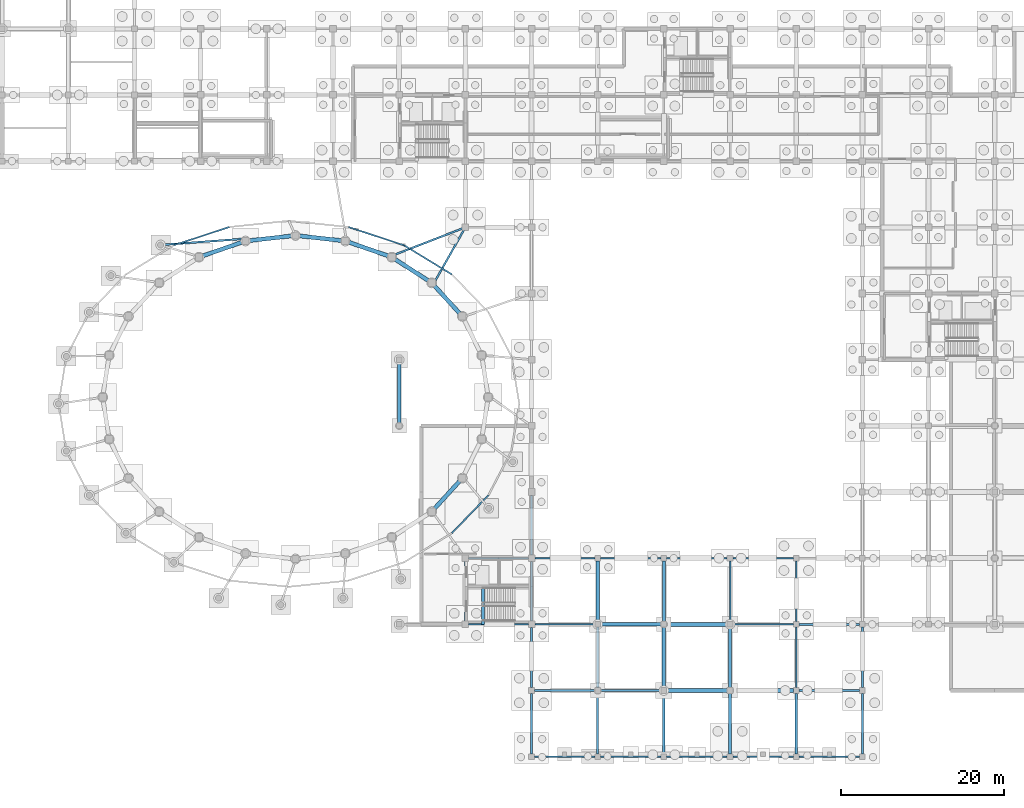
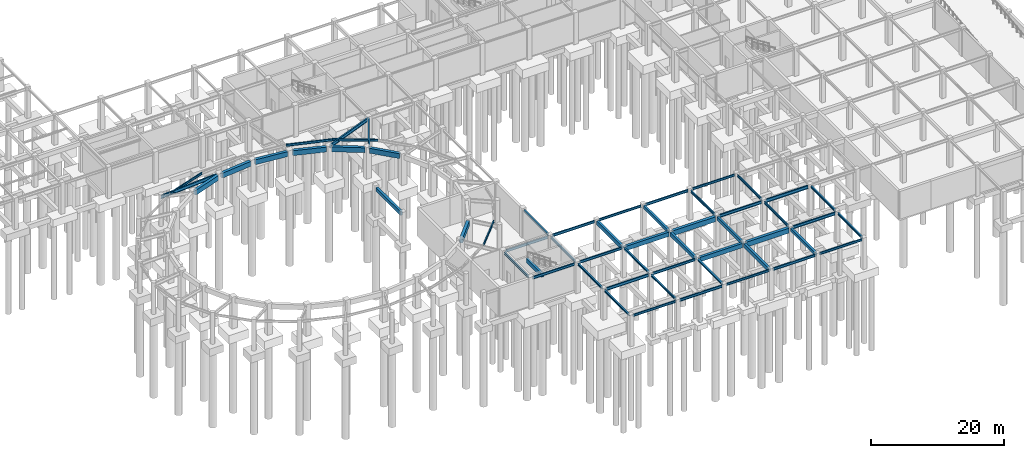
# One storey, part 11 of 26: 56 beams.
"""IFC4 building model written with IfcOpenShell, lengths in metres."""

from ifc_helpers import new_model, si_unit, direction, frame, origin, origin_2d, place, context, subcontext, project, spatial, rectangle, i_section, extrude, material, material_profile, profile_set, type_object, element, save


model = new_model("IFC4")

# Units and contexts
model_context = context("Model", 3, precision=1e-05, world=origin(), true_north=direction((0.0, 1.0)))
body_context = subcontext(model_context, "Body", "Model", "MODEL_VIEW")
ifc_project = project(units=[si_unit("LENGTHUNIT", "METRE"), si_unit("AREAUNIT", "SQUARE_METRE"), si_unit("VOLUMEUNIT", "CUBIC_METRE"), si_unit("PLANEANGLEUNIT", "RADIAN"), si_unit("MASSUNIT", "GRAM", prefix="KILO")], contexts=[model_context])

# Site, building, storey
site_placement = place(None, origin())
site = spatial("IfcSite", under=ifc_project, at=site_placement, CompositionType="ELEMENT")
building_placement = place(site_placement, origin())
building = spatial("IfcBuilding", under=site, at=building_placement, Name="Parian Resonance Hall", CompositionType="ELEMENT")
storey_placement = place(building_placement, frame((0.0, 0.0, -5.39990234375)))
storey = spatial("IfcBuildingStorey", under=building, at=storey_placement, Name="B1", CompositionType="ELEMENT", Elevation=-5.39990234375)

# Beams
ifc_material_1 = material(Name="Concrete C40/50", Category="concrete")
ifc_material_profile_1 = material_profile(ifc_material_1, rectangle(XDim=0.35009765625, YDim=0.60009765625, at=origin_2d()), Name="RC-BM-350x600")
ifc_profile_set_1 = profile_set([ifc_material_profile_1], Name="Concrete C40/50")
beam_type_1 = type_object("IfcBeamType", Name="BM-RC350x600", PredefinedType="BEAM", material=ifc_profile_set_1)
beam_1_placement = place(storey_placement, frame((89.10009765625, 16.550048828125, 4.83984375), z_axis=(0.0, 1.0, 0.0), x_axis=(-1.0, 0.0, 0.0)))
element("IfcBeam", 1, at=beam_1_placement, inside=storey, type_object=beam_type_1, Name="GY-B1-0183", PredefinedType="BEAM", context=body_context, shape_type="SweptSolid", body=[
    extrude(rectangle(XDim=0.35009765625, YDim=0.60009765625, at=origin_2d()), origin(), (0.0, 0.0, 1.0), 7.39990234375),
])
beam_2_placement = place(storey_placement, frame((97.199951171875, 8.449951171875, 4.83984375), z_axis=(0.0, 1.0, 0.0), x_axis=(-1.0, 0.0, 0.0)))
element("IfcBeam", 2, at=beam_2_placement, inside=storey, type_object=beam_type_1, Name="GY-B1-0187", PredefinedType="BEAM", context=body_context, shape_type="SweptSolid", body=[
    extrude(rectangle(XDim=0.35009765625, YDim=0.60009765625, at=origin_2d()), origin(), (0.0, 0.0, 1.0), 7.400146484375),
])
beam_3_placement = place(storey_placement, frame((105.300048828125, 0.35009765625, 4.83984375), z_axis=(0.0, 1.0, 0.0), x_axis=(-1.0, 0.0, 0.0)))
element("IfcBeam", 3, at=beam_3_placement, inside=storey, type_object=beam_type_1, Name="GY-B1-0191", PredefinedType="BEAM", context=body_context, shape_type="SweptSolid", body=[
    extrude(rectangle(XDim=0.35009765625, YDim=0.60009765625, at=origin_2d()), origin(), (0.0, 0.0, 1.0), 7.39990234375),
])
ifc_material_2 = material(Name="Concrete C40/50", Category="concrete")
ifc_material_profile_2 = material_profile(ifc_material_2, rectangle(XDim=0.39990234375, YDim=0.699951171875, at=origin_2d()), Name="RC-BM-400x700")
ifc_profile_set_2 = profile_set([ifc_material_profile_2], Name="Concrete C40/50")
beam_type_2 = type_object("IfcBeamType", Name="BM-RC400x700", PredefinedType="BEAM", material=ifc_profile_set_2)
for number, where, z_axis, x_axis, name in (
    (4, (56.699951171875, 40.85009765625, 4.72998046875), (0.0, 1.0, 0.0), (-1.0, 0.0, 0.0), "GY-B1-0158"),
    (5, (81.0, 16.550048828125, 4.789794921875), (0.0, 1.0, 0.0), (-1.0, 0.0, 0.0), "GY-B1-0178"),
):
    element("IfcBeam", number, at=place(storey_placement, frame(where, z_axis=z_axis, x_axis=x_axis)), inside=storey, type_object=beam_type_2, Name=name, PredefinedType="BEAM", context=body_context, shape_type="SweptSolid", body=[
        extrude(rectangle(XDim=0.39990234375, YDim=0.699951171875, at=origin_2d()), origin(), (0.0, 0.0, 1.0), 7.39990234375),
    ])
beam_4_placement = place(storey_placement, frame((89.10009765625, 8.449951171875, 4.789794921875), z_axis=(0.0, 1.0, 0.0), x_axis=(-1.0, 0.0, 0.0)))
element("IfcBeam", 6, at=beam_4_placement, inside=storey, type_object=beam_type_2, Name="GY-B1-0182", PredefinedType="BEAM", context=body_context, shape_type="SweptSolid", body=[
    extrude(rectangle(XDim=0.39990234375, YDim=0.699951171875, at=origin_2d()), origin(), (0.0, 0.0, 1.0), 7.400146484375),
])
beam_5_placement = place(storey_placement, frame((97.199951171875, 0.35009765625, 4.789794921875), z_axis=(0.0, 1.0, 0.0), x_axis=(-1.0, 0.0, 0.0)))
element("IfcBeam", 7, at=beam_5_placement, inside=storey, type_object=beam_type_2, Name="GY-B1-0186", PredefinedType="BEAM", context=body_context, shape_type="SweptSolid", body=[
    extrude(rectangle(XDim=0.39990234375, YDim=0.699951171875, at=origin_2d()), origin(), (0.0, 0.0, 1.0), 7.39990234375),
])
beam_6_placement = place(storey_placement, frame((66.9599609375, 16.199951171875, 4.75), z_axis=(0.0, 1.0, 0.0), x_axis=(-1.0, 0.0, 0.0)))
element("IfcBeam", 8, at=beam_6_placement, inside=storey, type_object=beam_type_2, Name="Core K3 stair arrival trimmer beam B1", PredefinedType="BEAM", context=body_context, shape_type="SweptSolid", body=[
    extrude(rectangle(XDim=0.39990234375, YDim=0.699951171875, at=origin_2d()), origin(), (0.0, 0.0, 1.0), 4.650146484375),
])
ifc_material_3 = material(Name="Concrete C40/50", Category="concrete")
ifc_material_profile_3 = material_profile(ifc_material_3, rectangle(XDim=0.449951171875, YDim=0.800048828125, at=origin_2d()), Name="RC-BM-450x800")
ifc_profile_set_3 = profile_set([ifc_material_profile_3], Name="Concrete C40/50")
beam_type_3 = type_object("IfcBeamType", Name="BM-RC450x800", PredefinedType="USERDEFINED", material=ifc_profile_set_3)
beam_7_placement = place(storey_placement, frame((81.35009765625, 16.199951171875, 4.739990234375), z_axis=(1.0, 0.0, 0.0), x_axis=(0.0, 1.0, 0.0)))
element("IfcBeam", 9, at=beam_7_placement, inside=storey, type_object=beam_type_3, Name="GX-B1-0049", ObjectType="GIRDER", PredefinedType="USERDEFINED", context=body_context, shape_type="SweptSolid", body=[
    extrude(rectangle(XDim=0.449951171875, YDim=0.800048828125, at=origin_2d()), origin(), (0.0, 0.0, 1.0), 7.39990234375),
])
beam_8_placement = place(storey_placement, frame((89.449951171875, 8.10009765625, 4.739990234375), z_axis=(1.0, 0.0, 0.0), x_axis=(0.0, 1.0, 0.0)))
element("IfcBeam", 10, at=beam_8_placement, inside=storey, type_object=beam_type_3, Name="GX-B1-0055", ObjectType="GIRDER", PredefinedType="USERDEFINED", context=body_context, shape_type="SweptSolid", body=[
    extrude(rectangle(XDim=0.449951171875, YDim=0.800048828125, at=origin_2d()), origin(), (0.0, 0.0, 1.0), 7.400146484375),
])
ifc_material_4 = material(Name="Concrete C40/50", Category="concrete")
ifc_material_profile_4 = material_profile(ifc_material_4, rectangle(XDim=0.5, YDim=0.89990234375, at=origin_2d()), Name="RC-BM-500x900")
ifc_profile_set_4 = profile_set([ifc_material_profile_4], Name="Concrete C40/50")
beam_type_4 = type_object("IfcBeamType", Name="BM-RC500x900", PredefinedType="USERDEFINED", material=ifc_profile_set_4)
beam_9_placement = place(storey_placement, frame((89.449951171875, 16.199951171875, 4.68994140625), z_axis=(1.0, 0.0, 0.0), x_axis=(0.0, 1.0, 0.0)))
element("IfcBeam", 11, at=beam_9_placement, inside=storey, type_object=beam_type_4, Name="GX-B1-0056", ObjectType="GIRDER", PredefinedType="USERDEFINED", context=body_context, shape_type="SweptSolid", body=[
    extrude(rectangle(XDim=0.5, YDim=0.89990234375, at=origin_2d()), origin(), (0.0, 0.0, 1.0), 7.400146484375),
])
beam_10_placement = place(storey_placement, frame((97.550048828125, 8.10009765625, 4.68994140625), z_axis=(1.0, 0.0, 0.0), x_axis=(0.0, 1.0, 0.0)))
element("IfcBeam", 12, at=beam_10_placement, inside=storey, type_object=beam_type_4, Name="GX-B1-0062", ObjectType="GIRDER", PredefinedType="USERDEFINED", context=body_context, shape_type="SweptSolid", body=[
    extrude(rectangle(XDim=0.5, YDim=0.89990234375, at=origin_2d()), origin(), (0.0, 0.0, 1.0), 7.39990234375),
])
beam_11_placement = place(storey_placement, frame((64.168212890625, 54.1953125, 4.679931640625), z_axis=(-0.674892190981, 0.737916343872, 0.0), x_axis=(-0.737916343872, -0.674892190981, 0.0)))
element("IfcBeam", 13, at=beam_11_placement, inside=storey, type_object=beam_type_4, Name="Concert hall drum ring beam B1-03", ObjectType="GIRDER", PredefinedType="USERDEFINED", context=body_context, shape_type="SweptSolid", body=[
    extrude(rectangle(XDim=0.5, YDim=0.89990234375, at=origin_2d()), origin(), (0.0, 0.0, 1.0), 4.757080078125),
])
beam_12_placement = place(storey_placement, frame((60.351318359375, 58.21728515625, 4.679931640625), z_axis=(-0.840822266108, 0.541311293819, 0.0), x_axis=(-0.541311293819, -0.840822266108, 0.0)))
element("IfcBeam", 14, at=beam_12_placement, inside=storey, type_object=beam_type_4, Name="Concert hall drum ring beam B1-04", ObjectType="GIRDER", PredefinedType="USERDEFINED", context=body_context, shape_type="SweptSolid", body=[
    extrude(rectangle(XDim=0.5, YDim=0.89990234375, at=origin_2d()), origin(), (0.0, 0.0, 1.0), 5.012939453125),
])
beam_13_placement = place(storey_placement, frame((55.422119140625, 61.278564453125, 4.679931640625), z_axis=(-0.944593815742, 0.328241562362, 0.0), x_axis=(-0.328241562362, -0.944593815742, 0.0)))
element("IfcBeam", 15, at=beam_13_placement, inside=storey, type_object=beam_type_4, Name="Concert hall drum ring beam B1-05", ObjectType="GIRDER", PredefinedType="USERDEFINED", context=body_context, shape_type="SweptSolid", body=[
    extrude(rectangle(XDim=0.5, YDim=0.89990234375, at=origin_2d()), origin(), (0.0, 0.0, 1.0), 5.225830078125),
])
for number, where, z_axis, x_axis, name in (
    (16, (49.71044921875, 63.169189453125, 4.679931640625), (-0.993953165009, 0.109804853117, 0.0), (-0.109804853117, -0.993953165009, 0.0), "Concert hall drum ring beam B1-06"),
    (17, (43.602294921875, 63.756103515625, 4.679931640625), (-0.993953165009, -0.109804853117, 0.0), (0.109804853117, -0.993953165009, 0.0), "Concert hall drum ring beam B1-07"),
):
    element("IfcBeam", number, at=place(storey_placement, frame(where, z_axis=z_axis, x_axis=x_axis)), inside=storey, type_object=beam_type_4, Name=name, ObjectType="GIRDER", PredefinedType="USERDEFINED", context=body_context, shape_type="SweptSolid", body=[
        extrude(rectangle(XDim=0.5, YDim=0.89990234375, at=origin_2d()), origin(), (0.0, 0.0, 1.0), 5.344970703125),
    ])
beam_14_placement = place(storey_placement, frame((37.51416015625, 62.993896484375, 4.679931640625), z_axis=(-0.944593815742, -0.328241562362, 0.0), x_axis=(0.328241562362, -0.944593815742, 0.0)))
element("IfcBeam", 18, at=beam_14_placement, inside=storey, type_object=beam_type_4, Name="Concert hall drum ring beam B1-08", ObjectType="GIRDER", PredefinedType="USERDEFINED", context=body_context, shape_type="SweptSolid", body=[
    extrude(rectangle(XDim=0.5, YDim=0.89990234375, at=origin_2d()), origin(), (0.0, 0.0, 1.0), 5.225830078125),
])
beam_15_placement = place(storey_placement, frame((60.957763671875, 30.29443359375, 4.679931640625), z_axis=(0.674892190981, 0.737916343872, 0.0), x_axis=(-0.737916343872, 0.674892190981, 0.0)))
element("IfcBeam", 19, at=beam_15_placement, inside=storey, type_object=beam_type_4, Name="Concert hall drum ring beam B1-22", ObjectType="GIRDER", PredefinedType="USERDEFINED", context=body_context, shape_type="SweptSolid", body=[
    extrude(rectangle(XDim=0.5, YDim=0.89990234375, at=origin_2d()), origin(), (0.0, 0.0, 1.0), 4.757080078125),
])
ifc_material_5 = material(Name="Steel S355", Category="steel")
ifc_material_profile_5 = material_profile(ifc_material_5, i_section(OverallWidth=0.304931640625, OverallDepth=0.30810546875, WebThickness=0.010009765625, FlangeThickness=0.015380859375, FilletRadius=0.01513671875, at=origin_2d()), Name="W310x97")
ifc_profile_set_5 = profile_set([ifc_material_profile_5], Name="Steel S355")
beam_type_5 = type_object("IfcBeamType", Name="BM-W310x97", PredefinedType="BEAM", material=ifc_profile_set_5)
beam_16_placement = place(storey_placement, frame((81.0, 8.449951171875, 4.98583984375), z_axis=(0.0, 1.0, 0.0), x_axis=(-1.0, 0.0, 0.0)))
element("IfcBeam", 20, at=beam_16_placement, inside=storey, type_object=beam_type_5, Name="GY-B1-0177", PredefinedType="BEAM", context=body_context, shape_type="SweptSolid", body=[
    extrude(i_section(OverallWidth=0.304931640625, OverallDepth=0.30810546875, WebThickness=0.010009765625, FlangeThickness=0.015380859375, FilletRadius=0.01513671875, at=origin_2d()), origin(), (0.0, 0.0, 1.0), 7.400146484375),
])
beam_17_placement = place(storey_placement, frame((89.10009765625, 0.35009765625, 4.98583984375), z_axis=(0.0, 1.0, 0.0), x_axis=(-1.0, 0.0, 0.0)))
element("IfcBeam", 21, at=beam_17_placement, inside=storey, type_object=beam_type_5, Name="GY-B1-0181", PredefinedType="BEAM", context=body_context, shape_type="SweptSolid", body=[
    extrude(i_section(OverallWidth=0.304931640625, OverallDepth=0.30810546875, WebThickness=0.010009765625, FlangeThickness=0.015380859375, FilletRadius=0.01513671875, at=origin_2d()), origin(), (0.0, 0.0, 1.0), 7.39990234375),
])
ifc_material_6 = material(Name="Steel S355", Category="steel")
ifc_material_profile_6 = material_profile(ifc_material_6, i_section(OverallWidth=0.2548828125, OverallDepth=0.35693359375, WebThickness=0.010498046875, FlangeThickness=0.018310546875, FilletRadius=0.01513671875, at=origin_2d()), Name="W360x101")
ifc_profile_set_6 = profile_set([ifc_material_profile_6], Name="Steel S355")
beam_type_6 = type_object("IfcBeamType", Name="BM-W360x101", PredefinedType="SPANDREL", material=ifc_profile_set_6)
beam_18_placement = place(storey_placement, frame((64.800048828125, 16.60009765625, 4.92138671875), z_axis=(0.0, 1.0, 0.0), x_axis=(-1.0, 0.0, 0.0)))
element("IfcBeam", 22, at=beam_18_placement, inside=storey, type_object=beam_type_6, Name="GY-B1-0161", PredefinedType="SPANDREL", context=body_context, shape_type="SweptSolid", body=[
    extrude(i_section(OverallWidth=0.2548828125, OverallDepth=0.35693359375, WebThickness=0.010498046875, FlangeThickness=0.018310546875, FilletRadius=0.01513671875, at=origin_2d()), origin(), (0.0, 0.0, 1.0), 7.2998046875),
])
beam_19_placement = place(storey_placement, frame((72.89990234375, 0.35009765625, 4.96142578125), z_axis=(0.0, 1.0, 0.0), x_axis=(-1.0, 0.0, 0.0)))
element("IfcBeam", 23, at=beam_19_placement, inside=storey, type_object=beam_type_6, Name="GY-B1-0165", PredefinedType="SPANDREL", context=body_context, shape_type="SweptSolid", body=[
    extrude(i_section(OverallWidth=0.2548828125, OverallDepth=0.35693359375, WebThickness=0.010498046875, FlangeThickness=0.018310546875, FilletRadius=0.01513671875, at=origin_2d()), origin(), (0.0, 0.0, 1.0), 7.39990234375),
])
beam_20_placement = place(storey_placement, frame((72.89990234375, 8.449951171875, 4.96142578125), z_axis=(0.0, 1.0, 0.0), x_axis=(-1.0, 0.0, 0.0)))
element("IfcBeam", 24, at=beam_20_placement, inside=storey, type_object=beam_type_6, Name="GY-B1-0166", PredefinedType="SPANDREL", context=body_context, shape_type="SweptSolid", body=[
    extrude(i_section(OverallWidth=0.2548828125, OverallDepth=0.35693359375, WebThickness=0.010498046875, FlangeThickness=0.018310546875, FilletRadius=0.01513671875, at=origin_2d()), origin(), (0.0, 0.0, 1.0), 7.35009765625),
])
beam_21_placement = place(storey_placement, frame((72.89990234375, 16.60009765625, 4.92138671875), z_axis=(0.0, 1.0, 0.0), x_axis=(-1.0, 0.0, 0.0)))
element("IfcBeam", 25, at=beam_21_placement, inside=storey, type_object=beam_type_6, Name="GY-B1-0167", PredefinedType="SPANDREL", context=body_context, shape_type="SweptSolid", body=[
    extrude(i_section(OverallWidth=0.2548828125, OverallDepth=0.35693359375, WebThickness=0.010498046875, FlangeThickness=0.018310546875, FilletRadius=0.01513671875, at=origin_2d()), origin(), (0.0, 0.0, 1.0), 7.2998046875),
])
beam_22_placement = place(storey_placement, frame((72.89990234375, 24.699951171875, 4.92138671875), z_axis=(0.0, 1.0, 0.0), x_axis=(-1.0, 0.0, 0.0)))
element("IfcBeam", 26, at=beam_22_placement, inside=storey, type_object=beam_type_6, Name="GY-B1-0168", PredefinedType="SPANDREL", context=body_context, shape_type="SweptSolid", body=[
    extrude(i_section(OverallWidth=0.2548828125, OverallDepth=0.35693359375, WebThickness=0.010498046875, FlangeThickness=0.018310546875, FilletRadius=0.01513671875, at=origin_2d()), origin(), (0.0, 0.0, 1.0), 7.300048828125),
])
for number, where, z_axis, x_axis, name in (
    (27, (81.0, 0.35009765625, 4.96142578125), (0.0, 1.0, 0.0), (-1.0, 0.0, 0.0), "GY-B1-0176"),
    (28, (113.39990234375, 0.35009765625, 4.96142578125), (0.0, 1.0, 0.0), (-1.0, 0.0, 0.0), "GY-B1-0196"),
):
    element("IfcBeam", number, at=place(storey_placement, frame(where, z_axis=z_axis, x_axis=x_axis)), inside=storey, type_object=beam_type_6, Name=name, PredefinedType="SPANDREL", context=body_context, shape_type="SweptSolid", body=[
        extrude(i_section(OverallWidth=0.2548828125, OverallDepth=0.35693359375, WebThickness=0.010498046875, FlangeThickness=0.018310546875, FilletRadius=0.01513671875, at=origin_2d()), origin(), (0.0, 0.0, 1.0), 7.39990234375),
    ])
beam_23_placement = place(storey_placement, frame((113.39990234375, 8.449951171875, 4.96142578125), z_axis=(0.0, 1.0, 0.0), x_axis=(-1.0, 0.0, 0.0)))
element("IfcBeam", 29, at=beam_23_placement, inside=storey, type_object=beam_type_6, Name="GY-B1-0197", PredefinedType="SPANDREL", context=body_context, shape_type="SweptSolid", body=[
    extrude(i_section(OverallWidth=0.2548828125, OverallDepth=0.35693359375, WebThickness=0.010498046875, FlangeThickness=0.018310546875, FilletRadius=0.01513671875, at=origin_2d()), origin(), (0.0, 0.0, 1.0), 7.400146484375),
])
ifc_material_7 = material(Name="Steel S355", Category="steel")
ifc_material_profile_7 = material_profile(ifc_material_7, i_section(OverallWidth=0.180908203125, OverallDepth=0.4169921875, WebThickness=0.010986328125, FlangeThickness=0.018310546875, FilletRadius=0.01513671875, at=origin_2d()), Name="W410x85")
ifc_profile_set_7 = profile_set([ifc_material_profile_7], Name="Steel S355")
beam_type_7 = type_object("IfcBeamType", Name="BM-W410x85", PredefinedType="SPANDREL", material=ifc_profile_set_7)
for number, where, z_axis, x_axis, name in (
    (30, (73.25, 0.0, 4.96142578125), (1.0, 0.0, 0.0), (0.0, 1.0, 0.0), "GX-B1-0040"),
    (31, (81.35009765625, 24.300048828125, 4.931396484375), (1.0, 0.0, 0.0), (0.0, 1.0, 0.0), "GX-B1-0050"),
):
    element("IfcBeam", number, at=place(storey_placement, frame(where, z_axis=z_axis, x_axis=x_axis)), inside=storey, type_object=beam_type_7, Name=name, PredefinedType="SPANDREL", context=body_context, shape_type="SweptSolid", body=[
        extrude(i_section(OverallWidth=0.180908203125, OverallDepth=0.4169921875, WebThickness=0.010986328125, FlangeThickness=0.018310546875, FilletRadius=0.01513671875, at=origin_2d()), origin(), (0.0, 0.0, 1.0), 7.39990234375),
    ])
beam_24_placement = place(storey_placement, frame((89.449951171875, 0.0, 4.96142578125), z_axis=(1.0, 0.0, 0.0), x_axis=(0.0, 1.0, 0.0)))
element("IfcBeam", 32, at=beam_24_placement, inside=storey, type_object=beam_type_7, Name="GX-B1-0054", PredefinedType="SPANDREL", context=body_context, shape_type="SweptSolid", body=[
    extrude(i_section(OverallWidth=0.180908203125, OverallDepth=0.4169921875, WebThickness=0.010986328125, FlangeThickness=0.018310546875, FilletRadius=0.01513671875, at=origin_2d()), origin(), (0.0, 0.0, 1.0), 7.400146484375),
])
beam_25_placement = place(storey_placement, frame((97.550048828125, 24.300048828125, 4.931396484375), z_axis=(1.0, 0.0, 0.0), x_axis=(0.0, 1.0, 0.0)))
element("IfcBeam", 33, at=beam_25_placement, inside=storey, type_object=beam_type_7, Name="GX-B1-0064", PredefinedType="SPANDREL", context=body_context, shape_type="SweptSolid", body=[
    extrude(i_section(OverallWidth=0.180908203125, OverallDepth=0.4169921875, WebThickness=0.010986328125, FlangeThickness=0.018310546875, FilletRadius=0.01513671875, at=origin_2d()), origin(), (0.0, 0.0, 1.0), 7.39990234375),
])
beam_26_placement = place(storey_placement, frame((105.64990234375, 0.0, 4.96142578125), z_axis=(1.0, 0.0, 0.0), x_axis=(0.0, 1.0, 0.0)))
element("IfcBeam", 34, at=beam_26_placement, inside=storey, type_object=beam_type_7, Name="GX-B1-0068", PredefinedType="SPANDREL", context=body_context, shape_type="SweptSolid", body=[
    extrude(i_section(OverallWidth=0.180908203125, OverallDepth=0.4169921875, WebThickness=0.010986328125, FlangeThickness=0.018310546875, FilletRadius=0.01513671875, at=origin_2d()), origin(), (0.0, 0.0, 1.0), 7.400146484375),
])
beam_27_placement = place(storey_placement, frame((105.300048828125, 16.550048828125, 4.931396484375), z_axis=(0.0, 1.0, 0.0), x_axis=(-1.0, 0.0, 0.0)))
element("IfcBeam", 35, at=beam_27_placement, inside=storey, type_object=beam_type_7, Name="GY-B1-0193", PredefinedType="SPANDREL", context=body_context, shape_type="SweptSolid", body=[
    extrude(i_section(OverallWidth=0.180908203125, OverallDepth=0.4169921875, WebThickness=0.010986328125, FlangeThickness=0.018310546875, FilletRadius=0.01513671875, at=origin_2d()), origin(), (0.0, 0.0, 1.0), 7.39990234375),
])
beam_28_placement = place(storey_placement, frame((63.140380859375, 59.039306640625, 4.871337890625), z_axis=(-0.853884780615, 0.520462084531, 0.0), x_axis=(-0.520462084531, -0.853884780615, 0.0)))
element("IfcBeam", 36, at=beam_28_placement, inside=storey, type_object=beam_type_7, Name="Elliptical BASE perimeter spandrel beam 04", PredefinedType="SPANDREL", context=body_context, shape_type="SweptSolid", body=[
    extrude(i_section(OverallWidth=0.180908203125, OverallDepth=0.4169921875, WebThickness=0.010986328125, FlangeThickness=0.018310546875, FilletRadius=0.01513671875, at=origin_2d()), origin(), (0.0, 0.0, 1.0), 6.839599609375),
])
for number, where, z_axis, x_axis, name in (
    (37, (57.300048828125, 62.59912109375, 4.871337890625), (-0.949913803394, 0.312512025562, 0.0), (-0.312512025562, -0.949913803394, 0.0), "Elliptical BASE perimeter spandrel beam 05"),
    (38, (35.9013671875, 64.836669921875, 4.871337890625), (-0.949913803394, -0.312512025562, 0.0), (0.312512025562, -0.949913803394, 0.0), "Elliptical BASE perimeter spandrel beam 08"),
):
    element("IfcBeam", number, at=place(storey_placement, frame(where, z_axis=z_axis, x_axis=x_axis)), inside=storey, type_object=beam_type_7, Name=name, PredefinedType="SPANDREL", context=body_context, shape_type="SweptSolid", body=[
        extrude(i_section(OverallWidth=0.180908203125, OverallDepth=0.4169921875, WebThickness=0.010986328125, FlangeThickness=0.018310546875, FilletRadius=0.01513671875, at=origin_2d()), origin(), (0.0, 0.0, 1.0), 7.159912109375),
    ])
beam_29_placement = place(storey_placement, frame((63.140380859375, 27.36083984375, 4.871337890625), z_axis=(0.694775519763, 0.719226652132, 0.0), x_axis=(-0.719226652132, 0.694775519763, 0.0)))
element("IfcBeam", 39, at=beam_29_placement, inside=storey, type_object=beam_type_7, Name="Elliptical BASE perimeter spandrel beam 22", PredefinedType="SPANDREL", context=body_context, shape_type="SweptSolid", body=[
    extrude(i_section(OverallWidth=0.180908203125, OverallDepth=0.4169921875, WebThickness=0.010986328125, FlangeThickness=0.018310546875, FilletRadius=0.01513671875, at=origin_2d()), origin(), (0.0, 0.0, 1.0), 6.4501953125),
])
ifc_material_8 = material(Name="Steel S355", Category="steel")
ifc_material_profile_8 = material_profile(ifc_material_8, i_section(OverallWidth=0.194091796875, OverallDepth=0.468994140625, WebThickness=0.0126953125, FlangeThickness=0.0205078125, FilletRadius=0.01513671875, at=origin_2d()), Name="W460x106")
ifc_profile_set_8 = profile_set([ifc_material_profile_8], Name="Steel S355")
beam_type_8 = type_object("IfcBeamType", Name="BM-W460x106", PredefinedType="SPANDREL", material=ifc_profile_set_8)
beam_30_placement = place(storey_placement, frame((65.199951171875, 16.199951171875, 4.865478515625), z_axis=(1.0, 0.0, 0.0), x_axis=(0.0, 1.0, 0.0)))
element("IfcBeam", 40, at=beam_30_placement, inside=storey, type_object=beam_type_8, Name="GX-B1-0034", PredefinedType="SPANDREL", context=body_context, shape_type="SweptSolid", body=[
    extrude(i_section(OverallWidth=0.194091796875, OverallDepth=0.468994140625, WebThickness=0.0126953125, FlangeThickness=0.0205078125, FilletRadius=0.01513671875, at=origin_2d()), origin(), (0.0, 0.0, 1.0), 7.300048828125),
])
beam_31_placement = place(storey_placement, frame((73.300048828125, 24.300048828125, 4.905517578125), z_axis=(1.0, 0.0, 0.0), x_axis=(0.0, 1.0, 0.0)))
element("IfcBeam", 41, at=beam_31_placement, inside=storey, type_object=beam_type_8, Name="GX-B1-0043", PredefinedType="SPANDREL", context=body_context, shape_type="SweptSolid", body=[
    extrude(i_section(OverallWidth=0.194091796875, OverallDepth=0.468994140625, WebThickness=0.0126953125, FlangeThickness=0.0205078125, FilletRadius=0.01513671875, at=origin_2d()), origin(), (0.0, 0.0, 1.0), 7.349853515625),
])
beam_32_placement = place(storey_placement, frame((81.35009765625, 0.0, 4.935302734375), z_axis=(1.0, 0.0, 0.0), x_axis=(0.0, 1.0, 0.0)))
element("IfcBeam", 42, at=beam_32_placement, inside=storey, type_object=beam_type_8, Name="GX-B1-0047", PredefinedType="SPANDREL", context=body_context, shape_type="SweptSolid", body=[
    extrude(i_section(OverallWidth=0.194091796875, OverallDepth=0.468994140625, WebThickness=0.0126953125, FlangeThickness=0.0205078125, FilletRadius=0.01513671875, at=origin_2d()), origin(), (0.0, 0.0, 1.0), 7.39990234375),
])
beam_33_placement = place(storey_placement, frame((89.449951171875, 24.300048828125, 4.905517578125), z_axis=(1.0, 0.0, 0.0), x_axis=(0.0, 1.0, 0.0)))
element("IfcBeam", 43, at=beam_33_placement, inside=storey, type_object=beam_type_8, Name="GX-B1-0057", PredefinedType="SPANDREL", context=body_context, shape_type="SweptSolid", body=[
    extrude(i_section(OverallWidth=0.194091796875, OverallDepth=0.468994140625, WebThickness=0.0126953125, FlangeThickness=0.0205078125, FilletRadius=0.01513671875, at=origin_2d()), origin(), (0.0, 0.0, 1.0), 7.400146484375),
])
for number, where, z_axis, x_axis, name in (
    (44, (97.550048828125, 0.0, 4.935302734375), (1.0, 0.0, 0.0), (0.0, 1.0, 0.0), "GX-B1-0061"),
    (45, (97.199951171875, 16.550048828125, 4.905517578125), (0.0, 1.0, 0.0), (-1.0, 0.0, 0.0), "GY-B1-0188"),
):
    element("IfcBeam", number, at=place(storey_placement, frame(where, z_axis=z_axis, x_axis=x_axis)), inside=storey, type_object=beam_type_8, Name=name, PredefinedType="SPANDREL", context=body_context, shape_type="SweptSolid", body=[
        extrude(i_section(OverallWidth=0.194091796875, OverallDepth=0.468994140625, WebThickness=0.0126953125, FlangeThickness=0.0205078125, FilletRadius=0.01513671875, at=origin_2d()), origin(), (0.0, 0.0, 1.0), 7.39990234375),
    ])
beam_34_placement = place(storey_placement, frame((105.300048828125, 8.449951171875, 4.905517578125), z_axis=(0.0, 1.0, 0.0), x_axis=(-1.0, 0.0, 0.0)))
element("IfcBeam", 46, at=beam_34_placement, inside=storey, type_object=beam_type_8, Name="GY-B1-0192", PredefinedType="SPANDREL", context=body_context, shape_type="SweptSolid", body=[
    extrude(i_section(OverallWidth=0.194091796875, OverallDepth=0.468994140625, WebThickness=0.0126953125, FlangeThickness=0.0205078125, FilletRadius=0.01513671875, at=origin_2d()), origin(), (0.0, 0.0, 1.0), 7.400146484375),
])
ifc_material_9 = material(Name="Steel S355", Category="steel")
ifc_material_profile_9 = material_profile(ifc_material_9, i_section(OverallWidth=0.19091796875, OverallDepth=0.4599609375, WebThickness=0.010009765625, FlangeThickness=0.01611328125, FilletRadius=0.01513671875, at=origin_2d()), Name="W460x82")
ifc_profile_set_9 = profile_set([ifc_material_profile_9], Name="Steel S355")
beam_type_9 = type_object("IfcBeamType", Name="BM-W460x82", PredefinedType="BEAM", material=ifc_profile_set_9)
beam_35_placement = place(storey_placement, frame((65.199951171875, 24.300048828125, 4.869873046875), z_axis=(1.0, 0.0, 0.0), x_axis=(0.0, 1.0, 0.0)))
element("IfcBeam", 47, at=beam_35_placement, inside=storey, type_object=beam_type_9, Name="GX-B1-0035", PredefinedType="BEAM", context=body_context, shape_type="SweptSolid", body=[
    extrude(i_section(OverallWidth=0.19091796875, OverallDepth=0.4599609375, WebThickness=0.010009765625, FlangeThickness=0.01611328125, FilletRadius=0.01513671875, at=origin_2d()), origin(), (0.0, 0.0, 1.0), 7.300048828125),
])
beam_36_placement = place(storey_placement, frame((73.300048828125, 16.199951171875, 4.909912109375), z_axis=(1.0, 0.0, 0.0), x_axis=(0.0, 1.0, 0.0)))
element("IfcBeam", 48, at=beam_36_placement, inside=storey, type_object=beam_type_9, Name="GX-B1-0042", PredefinedType="BEAM", context=body_context, shape_type="SweptSolid", body=[
    extrude(i_section(OverallWidth=0.19091796875, OverallDepth=0.4599609375, WebThickness=0.010009765625, FlangeThickness=0.01611328125, FilletRadius=0.01513671875, at=origin_2d()), origin(), (0.0, 0.0, 1.0), 7.349853515625),
])
beam_37_placement = place(storey_placement, frame((81.35009765625, 8.10009765625, 4.909912109375), z_axis=(1.0, 0.0, 0.0), x_axis=(0.0, 1.0, 0.0)))
element("IfcBeam", 49, at=beam_37_placement, inside=storey, type_object=beam_type_9, Name="GX-B1-0048", PredefinedType="BEAM", context=body_context, shape_type="SweptSolid", body=[
    extrude(i_section(OverallWidth=0.19091796875, OverallDepth=0.4599609375, WebThickness=0.010009765625, FlangeThickness=0.01611328125, FilletRadius=0.01513671875, at=origin_2d()), origin(), (0.0, 0.0, 1.0), 7.39990234375),
])
ifc_material_10 = material(Name="Steel S355", Category="steel")
ifc_material_profile_10 = material_profile(ifc_material_10, i_section(OverallWidth=0.2119140625, OverallDepth=0.5439453125, WebThickness=0.01318359375, FlangeThickness=0.021240234375, FilletRadius=0.017822265625, at=origin_2d()), Name="W530x123")
ifc_profile_set_10 = profile_set([ifc_material_profile_10], Name="Steel S355")
beam_type_10 = type_object("IfcBeamType", Name="BM-W530x123", PredefinedType="USERDEFINED", material=ifc_profile_set_10)
beam_38_placement = place(storey_placement, frame((97.550048828125, 16.199951171875, 4.867919921875), z_axis=(1.0, 0.0, 0.0), x_axis=(0.0, 1.0, 0.0)))
element("IfcBeam", 50, at=beam_38_placement, inside=storey, type_object=beam_type_10, Name="GX-B1-0063", ObjectType="GIRDER", PredefinedType="USERDEFINED", context=body_context, shape_type="SweptSolid", body=[
    extrude(i_section(OverallWidth=0.2119140625, OverallDepth=0.5439453125, WebThickness=0.01318359375, FlangeThickness=0.021240234375, FilletRadius=0.017822265625, at=origin_2d()), origin(), (0.0, 0.0, 1.0), 7.39990234375),
])
beam_39_placement = place(storey_placement, frame((105.64990234375, 8.10009765625, 4.867919921875), z_axis=(1.0, 0.0, 0.0), x_axis=(0.0, 1.0, 0.0)))
element("IfcBeam", 51, at=beam_39_placement, inside=storey, type_object=beam_type_10, Name="GX-B1-0069", ObjectType="GIRDER", PredefinedType="USERDEFINED", context=body_context, shape_type="SweptSolid", body=[
    extrude(i_section(OverallWidth=0.2119140625, OverallDepth=0.5439453125, WebThickness=0.01318359375, FlangeThickness=0.021240234375, FilletRadius=0.017822265625, at=origin_2d()), origin(), (0.0, 0.0, 1.0), 7.400146484375),
])
ifc_material_11 = material(Name="Steel S355", Category="steel")
ifc_material_profile_11 = material_profile(ifc_material_11, i_section(OverallWidth=0.208984375, OverallDepth=0.532958984375, WebThickness=0.01025390625, FlangeThickness=0.015625, FilletRadius=0.017822265625, at=origin_2d()), Name="W530x92")
ifc_profile_set_11 = profile_set([ifc_material_profile_11], Name="Steel S355")
beam_type_11 = type_object("IfcBeamType", Name="BM-W530x92", PredefinedType="BEAM", material=ifc_profile_set_11)
beam_40_placement = place(storey_placement, frame((73.25, 8.10009765625, 4.873291015625), z_axis=(1.0, 0.0, 0.0), x_axis=(0.0, 1.0, 0.0)))
element("IfcBeam", 52, at=beam_40_placement, inside=storey, type_object=beam_type_11, Name="GX-B1-0041", PredefinedType="BEAM", context=body_context, shape_type="SweptSolid", body=[
    extrude(i_section(OverallWidth=0.208984375, OverallDepth=0.532958984375, WebThickness=0.01025390625, FlangeThickness=0.015625, FilletRadius=0.017822265625, at=origin_2d()), origin(), (0.0, 0.0, 1.0), 7.39990234375),
])
ifc_material_12 = material(Name="Steel S355", Category="steel")
ifc_material_profile_12 = material_profile(ifc_material_12, i_section(OverallWidth=0.22802734375, OverallDepth=0.60791015625, WebThickness=0.01123046875, FlangeThickness=0.017333984375, FilletRadius=0.017822265625, at=origin_2d()), Name="W610x113")
ifc_profile_set_12 = profile_set([ifc_material_profile_12], Name="Steel S355")
beam_type_12 = type_object("IfcBeamType", Name="BM-W610x113", PredefinedType="USERDEFINED", material=ifc_profile_set_12)
beam_41_placement = place(storey_placement, frame((105.64990234375, 16.199951171875, 4.8359375), z_axis=(1.0, 0.0, 0.0), x_axis=(0.0, 1.0, 0.0)))
element("IfcBeam", 53, at=beam_41_placement, inside=storey, type_object=beam_type_12, Name="GX-B1-0070", ObjectType="GIRDER", PredefinedType="USERDEFINED", context=body_context, shape_type="SweptSolid", body=[
    extrude(i_section(OverallWidth=0.22802734375, OverallDepth=0.60791015625, WebThickness=0.01123046875, FlangeThickness=0.017333984375, FilletRadius=0.017822265625, at=origin_2d()), origin(), (0.0, 0.0, 1.0), 7.400146484375),
])
ifc_material_13 = material(Name="Steel S355", Category="steel")
ifc_material_profile_13 = material_profile(ifc_material_13, i_section(OverallWidth=0.22998046875, OverallDepth=0.616943359375, WebThickness=0.01318359375, FlangeThickness=0.022216796875, FilletRadius=0.017822265625, at=origin_2d()), Name="W610x140")
ifc_profile_set_13 = profile_set([ifc_material_profile_13], Name="Steel S355")
beam_type_13 = type_object("IfcBeamType", Name="CG1 W610x140", PredefinedType="USERDEFINED", material=ifc_profile_set_13)
beam_42_placement = place(storey_placement, frame((61.055908203125, 58.15673828125, 4.771484375), z_axis=(0.490986116015, 0.871167397163, 0.0), x_axis=(-0.871167397163, 0.490986116015, 0.0)))
element("IfcBeam", 54, at=beam_42_placement, inside=storey, type_object=beam_type_13, Name="Radial spine girder BASE-04", ObjectType="GIRDER", PredefinedType="USERDEFINED", context=body_context, shape_type="SweptSolid", body=[
    extrude(i_section(OverallWidth=0.22998046875, OverallDepth=0.616943359375, WebThickness=0.01318359375, FlangeThickness=0.022216796875, FilletRadius=0.017822265625, at=origin_2d()), origin(), (0.0, 0.0, 1.0), 7.625732421875),
])
beam_43_placement = place(storey_placement, frame((56.08740234375, 61.425537109375, 4.771484375), z_axis=(0.932500546009, 0.361168564097, 0.0), x_axis=(-0.361168564097, 0.932500546009, 0.0)))
element("IfcBeam", 55, at=beam_43_placement, inside=storey, type_object=beam_type_13, Name="Radial spine girder BASE-05", ObjectType="GIRDER", PredefinedType="USERDEFINED", context=body_context, shape_type="SweptSolid", body=[
    extrude(i_section(OverallWidth=0.22998046875, OverallDepth=0.616943359375, WebThickness=0.01318359375, FlangeThickness=0.022216796875, FilletRadius=0.017822265625, at=origin_2d()), origin(), (0.0, 0.0, 1.0), 9.34326171875),
])
beam_44_placement = place(storey_placement, frame((37.588623046875, 63.385986328125, 4.771484375), z_axis=(-0.997276571121, -0.07375256398, 0.0), x_axis=(0.07375256398, -0.997276571121, 0.0)))
element("IfcBeam", 56, at=beam_44_placement, inside=storey, type_object=beam_type_13, Name="Radial spine girder BASE-08", ObjectType="GIRDER", PredefinedType="USERDEFINED", context=body_context, shape_type="SweptSolid", body=[
    extrude(i_section(OverallWidth=0.22998046875, OverallDepth=0.616943359375, WebThickness=0.01318359375, FlangeThickness=0.022216796875, FilletRadius=0.017822265625, at=origin_2d()), origin(), (0.0, 0.0, 1.0), 10.1162109375),
])

save(model, "model.ifc")
